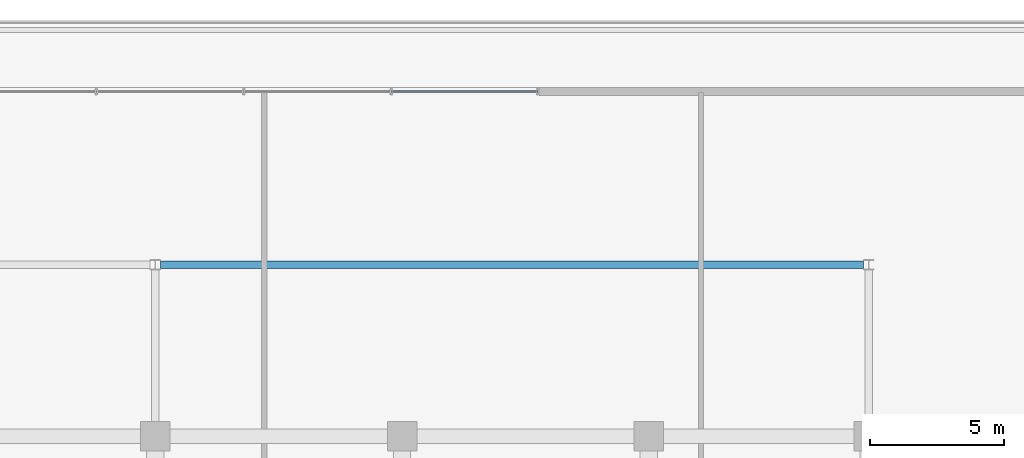
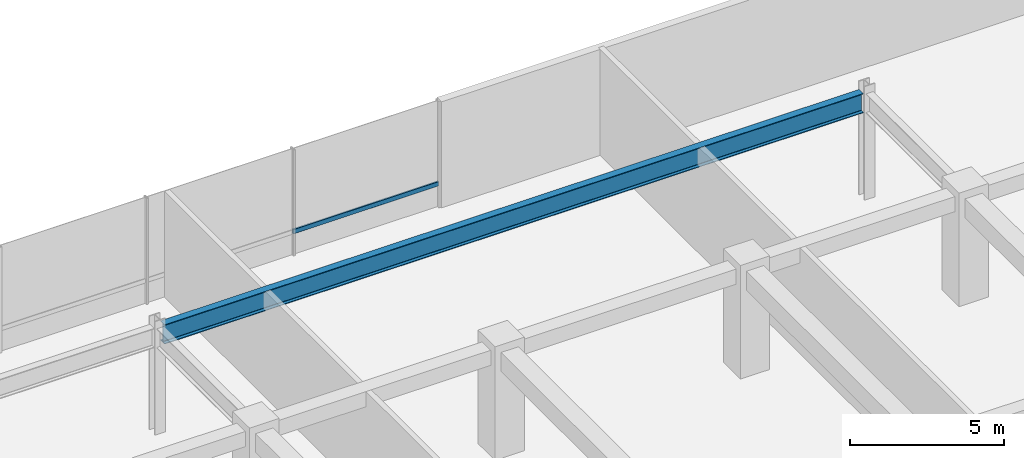
# One storey, part 14 of 43: 1 beam, 1 member, 1 element without a shape of its own.
"""IFC4 building model written with IfcOpenShell, lengths in metres."""

from ifc_helpers import new_model, si_unit, direction, frame, origin, origin_2d, place, context, subcontext, project, spatial, hollow_rectangle, i_section, extrude, material, layer, layer_set, material_profile, profile_set, type_object, element, aggregate, save


model = new_model("IFC4")

# Units and contexts
model_context = context("Model", 3, precision=1e-05, world=origin(), true_north=direction((0.0, 1.0)))
body_context = subcontext(model_context, "Body", "Model", "MODEL_VIEW")
ifc_project = project(units=[si_unit("LENGTHUNIT", "METRE"), si_unit("AREAUNIT", "SQUARE_METRE"), si_unit("VOLUMEUNIT", "CUBIC_METRE"), si_unit("PLANEANGLEUNIT", "RADIAN"), si_unit("MASSUNIT", "GRAM", prefix="KILO")], contexts=[model_context])

# Site, building, storey
site_placement = place(None, origin())
site = spatial("IfcSite", under=ifc_project, at=site_placement, CompositionType="ELEMENT")
building_placement = place(site_placement, origin())
building = spatial("IfcBuilding", under=site, at=building_placement, Name="Korimba Cascade Residences", CompositionType="ELEMENT")
storey_placement = place(building_placement, frame((0.0, 0.0, 10.0)))
storey = spatial("IfcBuildingStorey", under=building, at=storey_placement, Name="L02", CompositionType="ELEMENT", Elevation=10.0)

# Beam
ifc_material_1 = material(Name="Steel S355", Category="steel")
ifc_material_profile_1 = material_profile(ifc_material_1, i_section(OverallWidth=0.26806640625, OverallDepth=0.769775390625, WebThickness=0.015625, FlangeThickness=0.025390625, FilletRadius=0.0166015625, at=origin_2d()), Name="Steel S355")
ifc_profile_set_1 = profile_set([ifc_material_profile_1], Name="Steel S355")
beam_type = type_object("IfcBeamType", Name="BM-STL-UB762", PredefinedType="BEAM", material=ifc_profile_set_1)
beam_placement = place(storey_placement, frame((93.8994140625, 97.60009765625, 3.815185546875), z_axis=(1.0, 0.0, 0.0), x_axis=(0.0, 1.0, 0.0)))
element("IfcBeam", 1, at=beam_placement, inside=storey, type_object=beam_type, Name="L02 Podium Frame Girder NH2", PredefinedType="BEAM", context=body_context, shape_type="SweptSolid", body=[
    extrude(i_section(OverallWidth=0.26806640625, OverallDepth=0.769775390625, WebThickness=0.015625, FlangeThickness=0.025390625, FilletRadius=0.0166015625, at=origin_2d()), origin(), (0.0, 0.0, 1.0), 26.201171875),
])

# Curtain wall, member
ifc_material_2 = material(Name="Anodised Aluminium Curtain Wall Framing", Category="aluminium")
ifc_layer = layer(ifc_material_2, 0.179931640625)
ifc_layer_set = layer_set([ifc_layer], Name="Anodised Aluminium Curtain Wall Framing")
curtain_wall_type = type_object("IfcCurtainWallType", Name="CW-POD-SYS1", PredefinedType="NOTDEFINED", material=ifc_layer_set)
curtain_wall_placement = place(storey_placement, origin())
curtain_wall = element("IfcCurtainWall", 2, at=curtain_wall_placement, inside=storey, type_object=curtain_wall_type, Name="L02 Curtain Wall CW-L02-POD-N", PredefinedType="NOTDEFINED")
ifc_material_3 = material(Name="Anodised Aluminium Transom", Category="aluminium")
ifc_material_profile_2 = material_profile(ifc_material_3, hollow_rectangle(XDim=0.070068359375, YDim=0.179931640625, WallThickness=0.0048828125, InnerFilletRadius=0.0048828125, OuterFilletRadius=0.010009765625, at=origin_2d()), Name="Anodised Aluminium Transom")
ifc_profile_set_2 = profile_set([ifc_material_profile_2], Name="Anodised Aluminium Transom")
member_type = type_object("IfcMemberType", Name="CWM-TRN-150", PredefinedType="USERDEFINED", material=ifc_profile_set_2)
member_placement = place(storey_placement, frame((107.9599609375, 104.050048828125, 0.89990234375), z_axis=(-1.0, 0.0, 0.0), x_axis=(0.0, -1.0, 0.0)))
member = element("IfcMember", 3, at=member_placement, type_object=member_type, Name="CW-L02-POD-N Transom 1", ObjectType="TRANSOM", PredefinedType="USERDEFINED", context=body_context, shape_type="SweptSolid", body=[
    extrude(hollow_rectangle(XDim=0.070068359375, YDim=0.179931640625, WallThickness=0.0048828125, InnerFilletRadius=0.0048828125, OuterFilletRadius=0.010009765625, at=origin_2d()), origin(), (0.0, 0.0, 1.0), 5.4599609375),
])
aggregate(curtain_wall, [member])

save(model, "model.ifc")
